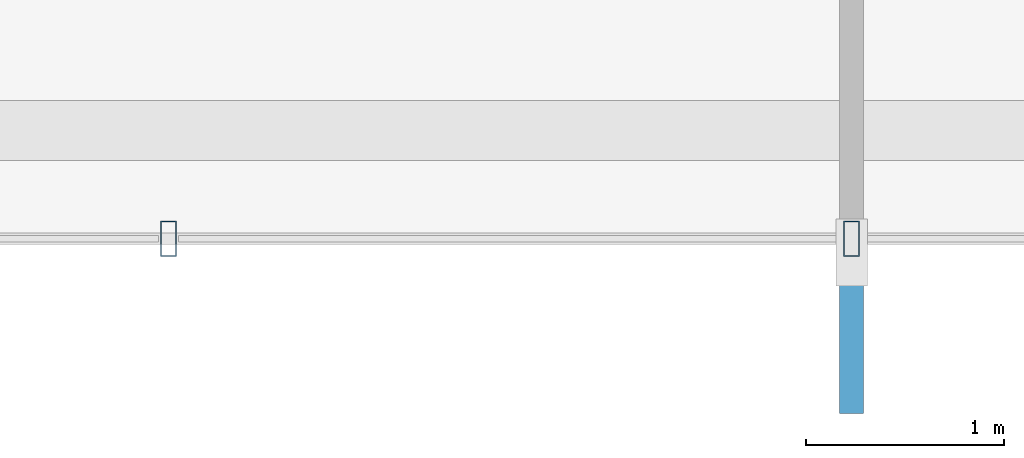
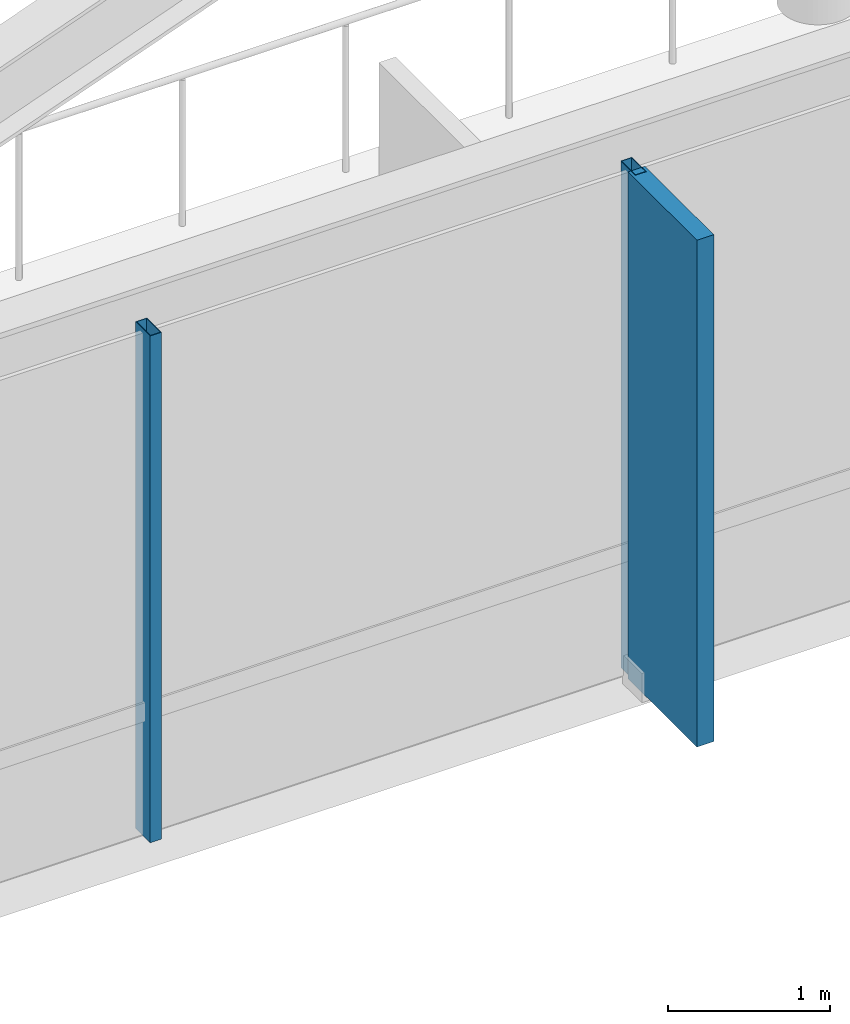
# One storey, part 6 of 24: 3 members, 1 element without a shape of its own.
"""IFC4 building model written with IfcOpenShell, lengths in metres."""

from ifc_helpers import new_model, si_unit, direction, frame, origin, origin_2d, place, context, subcontext, project, spatial, rectangle, hollow_rectangle, extrude, material, layer, layer_set, material_profile, profile_set, type_object, element, aggregate, save


model = new_model("IFC4")

# Units and contexts
model_context = context("Model", 3, precision=1e-05, world=origin(), true_north=direction((0.0, 1.0)))
body_context = subcontext(model_context, "Body", "Model", "MODEL_VIEW")
ifc_project = project(units=[si_unit("LENGTHUNIT", "METRE"), si_unit("AREAUNIT", "SQUARE_METRE"), si_unit("VOLUMEUNIT", "CUBIC_METRE"), si_unit("PLANEANGLEUNIT", "RADIAN"), si_unit("MASSUNIT", "GRAM", prefix="KILO")], contexts=[model_context])

# Site, building, storey
site_placement = place(None, origin())
site = spatial("IfcSite", under=ifc_project, at=site_placement, CompositionType="ELEMENT")
building_placement = place(site_placement, origin())
building = spatial("IfcBuilding", under=site, at=building_placement, Name="Zarrinselat Tower", CompositionType="ELEMENT")
storey_placement = place(building_placement, frame((0.0, 0.0, 68.340087890625)))
storey = spatial("IfcBuildingStorey", under=building, at=storey_placement, Name="L16", CompositionType="ELEMENT", Elevation=68.340087890625)

# Curtain wall, members
ifc_material_1 = material(Name="Extruded Aluminium Alloy EN AW-6063 T6", Category="aluminium")
ifc_layer = layer(ifc_material_1, 0.18505859375)
ifc_layer_set = layer_set([ifc_layer], Name="Extruded Aluminium Alloy EN AW-6063 T6")
curtain_wall_type = type_object("IfcCurtainWallType", Name="CWS-OFF", PredefinedType="NOTDEFINED", material=ifc_layer_set)
curtain_wall_placement = place(storey_placement, origin())
curtain_wall = element("IfcCurtainWall", 1, at=curtain_wall_placement, inside=storey, type_object=curtain_wall_type, Name="L16 Unitised Curtain Wall CW-L16-E05", PredefinedType="NOTDEFINED")
ifc_material_2 = material(Name="Extruded Aluminium Alloy EN AW-6063 T6", Category="aluminium")
ifc_material_profile_1 = material_profile(ifc_material_2, hollow_rectangle(XDim=0.080078125, YDim=0.179931640625, WallThickness=0.0048828125, at=origin_2d()), Name="RHS 180x80x5")
ifc_profile_set_1 = profile_set([ifc_material_profile_1], Name="Extruded Aluminium Alloy EN AW-6063 T6")
member_type_1 = type_object("IfcMemberType", Name="MEM-CW-MUL", PredefinedType="MULLION", material=ifc_profile_set_1)
member_1_placement = place(storey_placement, frame((38.39990234375, 18.70654296875, 0.0), z_axis=(0.0, 0.0, 1.0), x_axis=(-1.0, 0.0, 0.0)))
member_1 = element("IfcMember", 2, at=member_1_placement, type_object=member_type_1, Name="CW-L16-E05 Mullion 3", PredefinedType="MULLION", context=body_context, shape_type="SweptSolid", body=[
    extrude(hollow_rectangle(XDim=0.080078125, YDim=0.179931640625, WallThickness=0.0048828125, at=origin_2d()), origin(), (0.0, 0.0, 1.0), 3.81982421875),
])
member_2_placement = place(storey_placement, frame((34.941650390625, 18.70654296875, 0.0), z_axis=(0.0, 0.0, 1.0), x_axis=(-1.0, 0.0, 0.0)))
member_2 = element("IfcMember", 3, at=member_2_placement, type_object=member_type_1, Name="CW-L16-E05 Mullion 4", PredefinedType="MULLION", context=body_context, shape_type="SweptSolid", body=[
    extrude(hollow_rectangle(XDim=0.080078125, YDim=0.179931640625, WallThickness=0.0048828125, at=origin_2d()), origin(), (0.0, 0.0, 1.0), 3.81982421875),
])
ifc_material_3 = material(Name="Honed Cream Travertine Stone", Category="masonry")
ifc_material_profile_2 = material_profile(ifc_material_3, rectangle(XDim=0.1201171875, YDim=0.85009765625, at=origin_2d()), Name="FIN 850x120")
ifc_profile_set_2 = profile_set([ifc_material_profile_2], Name="Honed Cream Travertine Stone")
member_type_2 = type_object("IfcMemberType", Name="MEM-STONE-FIN", PredefinedType="USERDEFINED", material=ifc_profile_set_2)
member_3_placement = place(storey_placement, frame((38.39990234375, 18.24658203125, 0.0), z_axis=(0.0, 0.0, 1.0), x_axis=(-1.0, 0.0, 0.0)))
member_3 = element("IfcMember", 4, at=member_3_placement, type_object=member_type_2, Name="L16 Stone Shading Fin CW-L16-E05-03", ObjectType="FIN", PredefinedType="USERDEFINED", context=body_context, shape_type="SweptSolid", body=[
    extrude(rectangle(XDim=0.1201171875, YDim=0.85009765625, at=origin_2d()), origin(), (0.0, 0.0, 1.0), 3.81982421875),
])
aggregate(curtain_wall, [member_1, member_3, member_2])

save(model, "model.ifc")
